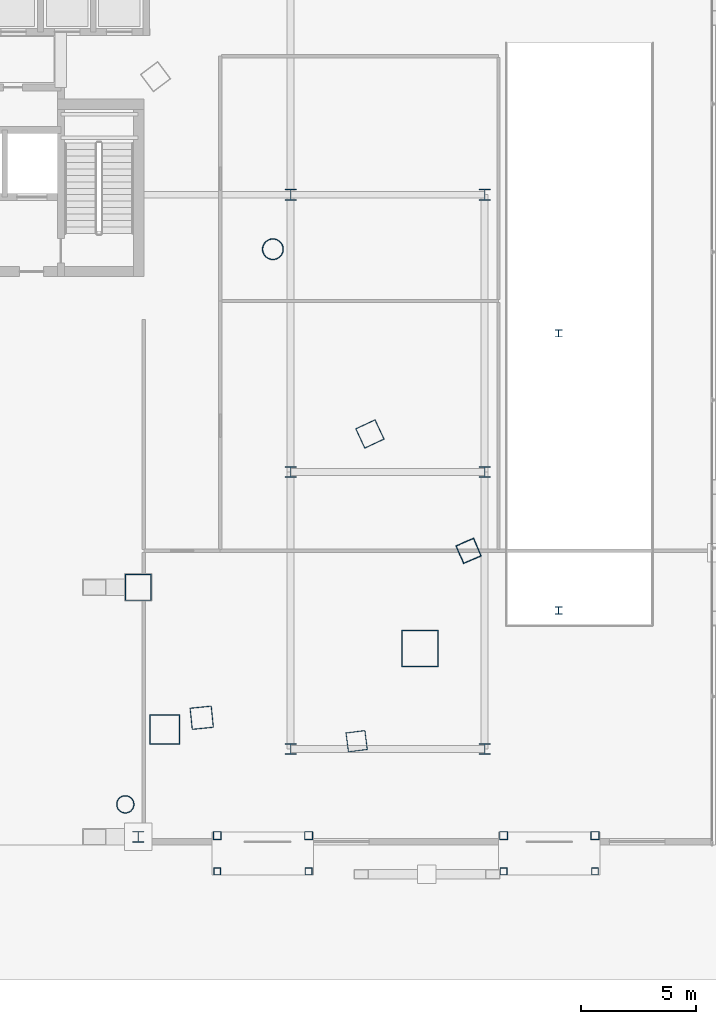
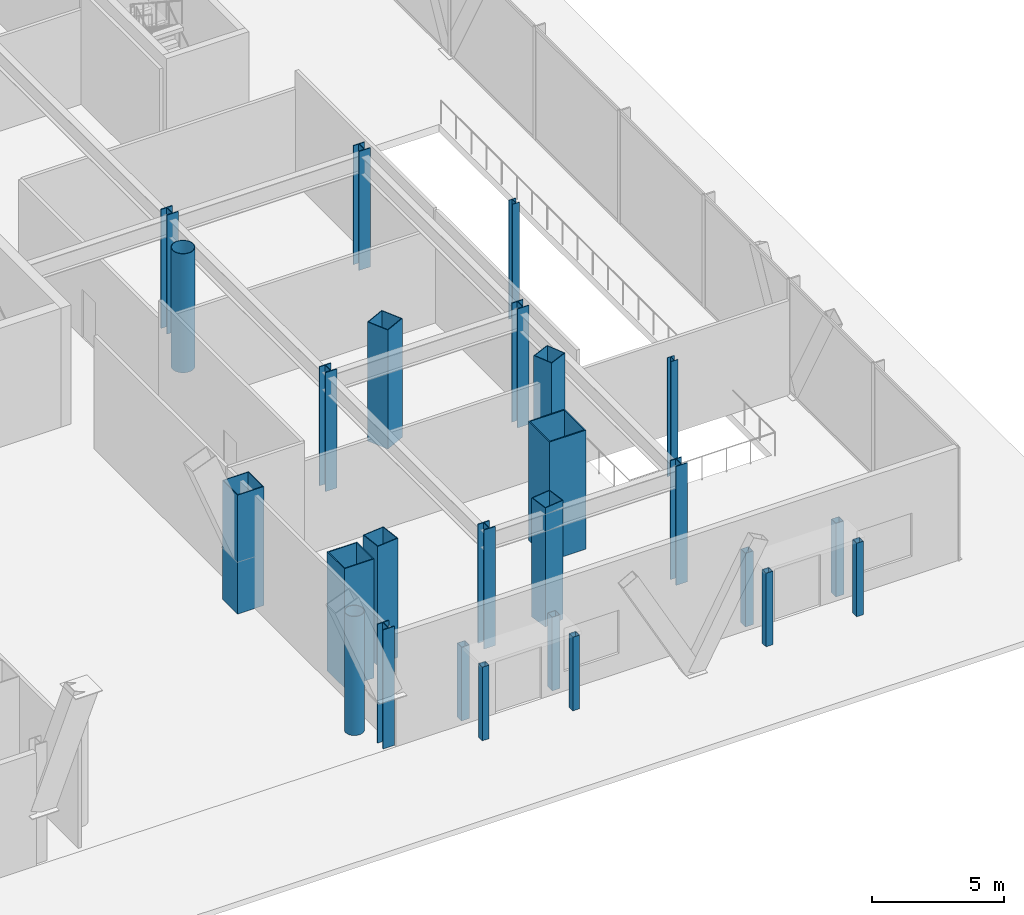
# One storey, part 2 of 38: 26 columns.
"""IFC4 building model written with IfcOpenShell, lengths in metres."""

from ifc_helpers import new_model, si_unit, direction, frame, origin, origin_2d, place, context, subcontext, project, spatial, hollow_rectangle, hollow_circle, i_section, extrude, material, material_profile, profile_set, type_object, element, save


model = new_model("IFC4")

# Units and contexts
model_context = context("Model", 3, precision=1e-05, world=origin(), true_north=direction((0.0, 1.0)))
body_context = subcontext(model_context, "Body", "Model", "MODEL_VIEW")
ifc_project = project(units=[si_unit("LENGTHUNIT", "METRE"), si_unit("AREAUNIT", "SQUARE_METRE"), si_unit("VOLUMEUNIT", "CUBIC_METRE"), si_unit("PLANEANGLEUNIT", "RADIAN"), si_unit("MASSUNIT", "GRAM", prefix="KILO")], contexts=[model_context])

# Site, building, storey
site_placement = place(None, origin())
site = spatial("IfcSite", under=ifc_project, at=site_placement, CompositionType="ELEMENT")
building_placement = place(site_placement, origin())
building = spatial("IfcBuilding", under=site, at=building_placement, Name="Orvanel Arch Residences", CompositionType="ELEMENT")
storey_placement = place(building_placement, origin())
storey = spatial("IfcBuildingStorey", under=building, at=storey_placement, Name="L00", CompositionType="ELEMENT", Elevation=0.0)

# Columns
ifc_material_1 = material(Name="Structural steel AS/NZS 1163 C450L0 (Grade 450)", Category="steel")
ifc_material_profile_1 = material_profile(ifc_material_1, hollow_circle(Radius=0.381103515625, WallThickness=0.02197265625, at=origin_2d()), Name="CHS762x22")
ifc_profile_set_1 = profile_set([ifc_material_profile_1], Name="Structural steel AS/NZS 1163 C450L0 (Grade 450)")
column_type_1 = type_object("IfcColumnType", Name="CC-762", PredefinedType="COLUMN", material=ifc_profile_set_1)
column_1_placement = place(storey_placement, frame((39.0419921875, 3.60498046875, 0.0), z_axis=(0.0, 0.0, 1.0), x_axis=(1.0, 0.0, 0.0)))
element("IfcColumn", 1, at=column_1_placement, inside=storey, type_object=column_type_1, Name="L00 Low-Rise Buttress Tube Column 04", PredefinedType="COLUMN", context=body_context, shape_type="SweptSolid", body=[
    extrude(hollow_circle(Radius=0.381103515625, WallThickness=0.02197265625, at=origin_2d()), origin(), (0.0, 0.0, 1.0), 5.5),
])
ifc_material_profile_2 = material_profile(ifc_material_1, hollow_circle(Radius=0.45703125, WallThickness=0.02490234375, at=origin_2d()), Name="CHS914x25")
ifc_profile_set_2 = profile_set([ifc_material_profile_2], Name="Structural steel AS/NZS 1163 C450L0 (Grade 450)")
column_type_2 = type_object("IfcColumnType", Name="CC-914", PredefinedType="COLUMN", material=ifc_profile_set_2)
column_2_placement = place(storey_placement, frame((45.430908203125, 27.64111328125, 0.0), z_axis=(0.0, 0.0, 1.0), x_axis=(1.0, 0.0, 0.0)))
element("IfcColumn", 2, at=column_2_placement, inside=storey, type_object=column_type_2, Name="L00 High-Rise Tube Column 08", PredefinedType="COLUMN", context=body_context, shape_type="SweptSolid", body=[
    extrude(hollow_circle(Radius=0.45703125, WallThickness=0.02490234375, at=origin_2d()), origin(), (0.0, 0.0, 1.0), 5.5),
])
ifc_material_2 = material(Name="Structural steel AS/NZS 3678 Grade 450", Category="steel")
ifc_material_profile_3 = material_profile(ifc_material_2, hollow_rectangle(XDim=1.14990234375, YDim=1.14990234375, WallThickness=0.035888671875, at=origin_2d()), Name="BOX1150x1150x36")
ifc_profile_set_3 = profile_set([ifc_material_profile_3], Name="Structural steel AS/NZS 3678 Grade 450")
column_type_3 = type_object("IfcColumnType", Name="MC-1150", PredefinedType="COLUMN", material=ifc_profile_set_3)
column_3_placement = place(storey_placement, frame((39.60009765625, 13.0, 0.0), z_axis=(0.0, 0.0, 1.0), x_axis=(1.0, 0.0, 0.0)))
element("IfcColumn", 3, at=column_3_placement, inside=storey, type_object=column_type_3, Name="L00 Arch Portal Pier MID E", PredefinedType="COLUMN", context=body_context, shape_type="SweptSolid", body=[
    extrude(hollow_rectangle(XDim=1.14990234375, YDim=1.14990234375, WallThickness=0.035888671875, at=origin_2d()), origin(), (0.0, 0.0, 1.0), 5.5),
])
ifc_material_profile_4 = material_profile(ifc_material_2, hollow_rectangle(XDim=1.300048828125, YDim=1.300048828125, WallThickness=0.0400390625, at=origin_2d()), Name="BOX1300x1300x40")
ifc_profile_set_4 = profile_set([ifc_material_profile_4], Name="Structural steel AS/NZS 3678 Grade 450")
column_type_4 = type_object("IfcColumnType", Name="MC-1300", PredefinedType="COLUMN", material=ifc_profile_set_4)
column_4_placement = place(storey_placement, frame((40.75, 6.843994140625, 0.0), z_axis=(0.0, 0.0, 1.0), x_axis=(1.0, 0.0, 0.0)))
element("IfcColumn", 4, at=column_4_placement, inside=storey, type_object=column_type_4, Name="L00 Arch Transfer Pier E", PredefinedType="COLUMN", context=body_context, shape_type="SweptSolid", body=[
    extrude(hollow_rectangle(XDim=1.300048828125, YDim=1.300048828125, WallThickness=0.0400390625, at=origin_2d()), origin(), (0.0, 0.0, 1.0), 5.5),
])
ifc_material_profile_5 = material_profile(ifc_material_2, hollow_rectangle(XDim=1.60009765625, YDim=1.60009765625, WallThickness=0.050048828125, at=origin_2d()), Name="BOX1600x1600x50")
ifc_profile_set_5 = profile_set([ifc_material_profile_5], Name="Structural steel AS/NZS 3678 Grade 450")
column_type_5 = type_object("IfcColumnType", Name="MC-1600", PredefinedType="COLUMN", material=ifc_profile_set_5)
column_5_placement = place(storey_placement, frame((51.801025390625, 10.35107421875, 0.0), z_axis=(0.0, 0.0, 1.0), x_axis=(1.0, 0.0, 0.0)))
element("IfcColumn", 5, at=column_5_placement, inside=storey, type_object=column_type_5, Name="L00 Corner Composite Mega-Column 3", PredefinedType="COLUMN", context=body_context, shape_type="SweptSolid", body=[
    extrude(hollow_rectangle(XDim=1.60009765625, YDim=1.60009765625, WallThickness=0.050048828125, at=origin_2d()), origin(), (0.0, 0.0, 1.0), 5.5),
])
ifc_material_3 = material(Name="Structural steel AS/NZS 1163 C350L0 (Grade 350)", Category="steel")
ifc_material_profile_6 = material_profile(ifc_material_3, hollow_rectangle(XDim=0.300048828125, YDim=0.300048828125, WallThickness=0.012451171875, at=origin_2d()), Name="SHS300x300x12.5")
ifc_profile_set_6 = profile_set([ifc_material_profile_6], Name="Structural steel AS/NZS 1163 C350L0 (Grade 350)")
column_type_6 = type_object("IfcColumnType", Name="OC-300SHS-EXT", PredefinedType="COLUMN", material=ifc_profile_set_6)
for number, where, z_axis, x_axis, name in (
    (6, (43.02001953125, 0.699951171875, 0.0), (0.0, 0.0, 1.0), (1.0, 0.0, 0.0), "L00 Canopy Front Post 03.1"),
    (7, (46.97998046875, 0.699951171875, 0.0), (0.0, 0.0, 1.0), (1.0, 0.0, 0.0), "L00 Canopy Front Post 03.2"),
    (8, (55.419921875, 0.699951171875, 0.0), (0.0, 0.0, 1.0), (1.0, 0.0, 0.0), "L00 Canopy Front Post 04.1"),
    (9, (59.3798828125, 0.699951171875, 0.0), (0.0, 0.0, 1.0), (1.0, 0.0, 0.0), "L00 Canopy Front Post 04.2"),
):
    element("IfcColumn", number, at=place(storey_placement, frame(where, z_axis=z_axis, x_axis=x_axis)), inside=storey, type_object=column_type_6, Name=name, PredefinedType="COLUMN", context=body_context, shape_type="SweptSolid", body=[
        extrude(hollow_rectangle(XDim=0.300048828125, YDim=0.300048828125, WallThickness=0.012451171875, at=origin_2d()), origin(), (0.0, 0.0, 1.0), 3.39990234375),
    ])
ifc_material_profile_7 = material_profile(ifc_material_3, hollow_rectangle(XDim=0.35009765625, YDim=0.35009765625, WallThickness=0.01611328125, at=origin_2d()), Name="SHS350x350x16")
ifc_profile_set_7 = profile_set([ifc_material_profile_7], Name="Structural steel AS/NZS 1163 C350L0 (Grade 350)")
column_type_7 = type_object("IfcColumnType", Name="OC-350SHS", PredefinedType="COLUMN", material=ifc_profile_set_7)
for number, where, z_axis, x_axis, name in (
    (10, (43.02001953125, 2.25, 0.0), (0.0, 0.0, 1.0), (1.0, 0.0, 0.0), "L00 Canopy Rear Support Column 03.1"),
    (11, (46.97998046875, 2.25, 0.0), (0.0, 0.0, 1.0), (1.0, 0.0, 0.0), "L00 Canopy Rear Support Column 03.2"),
    (12, (55.419921875, 2.25, 0.0), (0.0, 0.0, 1.0), (1.0, 0.0, 0.0), "L00 Canopy Rear Support Column 04.1"),
    (13, (59.3798828125, 2.25, 0.0), (0.0, 0.0, 1.0), (1.0, 0.0, 0.0), "L00 Canopy Rear Support Column 04.2"),
):
    element("IfcColumn", number, at=place(storey_placement, frame(where, z_axis=z_axis, x_axis=x_axis)), inside=storey, type_object=column_type_7, Name=name, PredefinedType="COLUMN", context=body_context, shape_type="SweptSolid", body=[
        extrude(hollow_rectangle(XDim=0.35009765625, YDim=0.35009765625, WallThickness=0.01611328125, at=origin_2d()), origin(), (0.0, 0.0, 1.0), 3.39990234375),
    ])
ifc_material_4 = material(Name="Structural steel AS/NZS 3679.1 Grade 300 (300 MPa)", Category="steel")
ifc_material_profile_8 = material_profile(ifc_material_4, i_section(OverallWidth=0.306884765625, OverallDepth=0.31494140625, WebThickness=0.011962890625, FlangeThickness=0.018798828125, at=origin_2d()), Name="310UC118")
ifc_profile_set_8 = profile_set([ifc_material_profile_8], Name="Structural steel AS/NZS 3679.1 Grade 300 (300 MPa)")
column_type_8 = type_object("IfcColumnType", Name="SC-310UC118", PredefinedType="COLUMN", material=ifc_profile_set_8)
for number, where, z_axis, x_axis, name in (
    (14, (57.800048828125, 12.0, 0.0), (0.0, 0.0, 1.0), (1.0, 0.0, 0.0), "L00 Auxiliary Podium Column 03"),
    (15, (57.800048828125, 24.0, 0.0), (0.0, 0.0, 1.0), (1.0, 0.0, 0.0), "L00 Auxiliary Podium Column 04"),
):
    element("IfcColumn", number, at=place(storey_placement, frame(where, z_axis=z_axis, x_axis=x_axis)), inside=storey, type_object=column_type_8, Name=name, PredefinedType="COLUMN", context=body_context, shape_type="SweptSolid", body=[
        extrude(i_section(OverallWidth=0.306884765625, OverallDepth=0.31494140625, WebThickness=0.011962890625, FlangeThickness=0.018798828125, at=origin_2d()), origin(), (0.0, 0.0, 1.0), 5.5),
    ])
ifc_material_profile_9 = material_profile(ifc_material_4, i_section(OverallWidth=0.5, OverallDepth=0.47998046875, WebThickness=0.028076171875, FlangeThickness=0.0400390625, at=origin_2d()), Name="500WC440")
ifc_profile_set_9 = profile_set([ifc_material_profile_9], Name="Structural steel AS/NZS 3679.1 Grade 300 (300 MPa)")
column_type_9 = type_object("IfcColumnType", Name="SC-500WC", PredefinedType="COLUMN", material=ifc_profile_set_9)
for number, where, z_axis, x_axis, name in (
    (16, (46.199951171875, 6.0, 0.0), (0.0, 0.0, 1.0), (1.0, 0.0, 0.0), "L00 Podium Grid Column 08"),
    (17, (46.199951171875, 18.0, 0.0), (0.0, 0.0, 1.0), (1.0, 0.0, 0.0), "L00 Podium Grid Column 09"),
    (18, (46.199951171875, 30.0, 0.0), (0.0, 0.0, 1.0), (1.0, 0.0, 0.0), "L00 Podium Grid Column 10"),
    (19, (54.60009765625, 6.0, 0.0), (0.0, 0.0, 1.0), (1.0, 0.0, 0.0), "L00 Podium Grid Column 12"),
    (20, (54.60009765625, 18.0, 0.0), (0.0, 0.0, 1.0), (1.0, 0.0, 0.0), "L00 Podium Grid Column 13"),
    (21, (54.60009765625, 30.0, 0.0), (0.0, 0.0, 1.0), (1.0, 0.0, 0.0), "L00 Podium Grid Column 14"),
):
    element("IfcColumn", number, at=place(storey_placement, frame(where, z_axis=z_axis, x_axis=x_axis)), inside=storey, type_object=column_type_9, Name=name, PredefinedType="COLUMN", context=body_context, shape_type="SweptSolid", body=[
        extrude(i_section(OverallWidth=0.5, OverallDepth=0.47998046875, WebThickness=0.028076171875, FlangeThickness=0.0400390625, at=origin_2d()), origin(), (0.0, 0.0, 1.0), 5.5),
    ])
ifc_material_profile_10 = material_profile(ifc_material_4, i_section(OverallWidth=0.5, OverallDepth=0.47998046875, WebThickness=0.028076171875, FlangeThickness=0.0400390625, at=origin_2d()), Name="500WC440")
ifc_profile_set_10 = profile_set([ifc_material_profile_10], Name="Structural steel AS/NZS 3679.1 Grade 300 (300 MPa)")
column_type_10 = type_object("IfcColumnType", Name="SC-500WC-EXT", PredefinedType="COLUMN", material=ifc_profile_set_10)
column_6_placement = place(storey_placement, frame((39.60009765625, 2.199951171875, 0.0), z_axis=(0.0, 0.0, 1.0), x_axis=(1.0, 0.0, 0.0)))
element("IfcColumn", 22, at=column_6_placement, inside=storey, type_object=column_type_10, Name="L00 Arch Portal Pier SOUTH E", PredefinedType="COLUMN", context=body_context, shape_type="SweptSolid", body=[
    extrude(i_section(OverallWidth=0.5, OverallDepth=0.47998046875, WebThickness=0.028076171875, FlangeThickness=0.0400390625, at=origin_2d()), origin(), (0.0, 0.0, 1.0), 5.5),
])
ifc_material_5 = material(Name="Structural steel AS/NZS 3678 Grade 350", Category="steel")
ifc_material_profile_11 = material_profile(ifc_material_5, hollow_rectangle(XDim=0.85009765625, YDim=0.85009765625, WallThickness=0.028076171875, at=origin_2d()), Name="BOX850x850x28")
ifc_profile_set_11 = profile_set([ifc_material_profile_11], Name="Structural steel AS/NZS 3678 Grade 350")
column_type_11 = type_object("IfcColumnType", Name="TC-850", PredefinedType="COLUMN", material=ifc_profile_set_11)
for number, where, z_axis, x_axis, name in (
    (23, (49.05908203125, 6.339111328125, 0.0), (0.0, 0.0, 1.0), (0.99189444259, 0.127064608601, 0.0), "L00 Mid-Rise Buttress Tube Column 04"),
    (24, (53.905029296875, 14.580078125, 0.0), (0.0, 0.0, 1.0), (-0.397147890635, 0.917754625684, 0.0), "L00 Mid-Rise Buttress Tube Column 05"),
):
    element("IfcColumn", number, at=place(storey_placement, frame(where, z_axis=z_axis, x_axis=x_axis)), inside=storey, type_object=column_type_11, Name=name, PredefinedType="COLUMN", context=body_context, shape_type="SweptSolid", body=[
        extrude(hollow_rectangle(XDim=0.85009765625, YDim=0.85009765625, WallThickness=0.028076171875, at=origin_2d()), origin(), (0.0, 0.0, 1.0), 5.5),
    ])
ifc_material_profile_12 = material_profile(ifc_material_5, hollow_rectangle(XDim=0.949951171875, YDim=0.949951171875, WallThickness=0.031982421875, at=origin_2d()), Name="BOX950x950x32")
ifc_profile_set_12 = profile_set([ifc_material_profile_12], Name="Structural steel AS/NZS 3678 Grade 350")
column_type_12 = type_object("IfcColumnType", Name="TC-950", PredefinedType="COLUMN", material=ifc_profile_set_12)
for number, where, z_axis, x_axis, name in (
    (25, (42.35107421875, 7.35498046875, 0.0), (0.0, 0.0, 1.0), (0.994880708829, 0.101056297183, 0.0), "L00 High-Rise Tube Column 06"),
    (26, (49.633056640625, 19.64208984375, 0.0), (0.0, 0.0, 1.0), (-0.422618261741, 0.906307787037, 0.0), "L00 High-Rise Tube Column 07"),
):
    element("IfcColumn", number, at=place(storey_placement, frame(where, z_axis=z_axis, x_axis=x_axis)), inside=storey, type_object=column_type_12, Name=name, PredefinedType="COLUMN", context=body_context, shape_type="SweptSolid", body=[
        extrude(hollow_rectangle(XDim=0.949951171875, YDim=0.949951171875, WallThickness=0.031982421875, at=origin_2d()), origin(), (0.0, 0.0, 1.0), 5.5),
    ])

save(model, "model.ifc")
